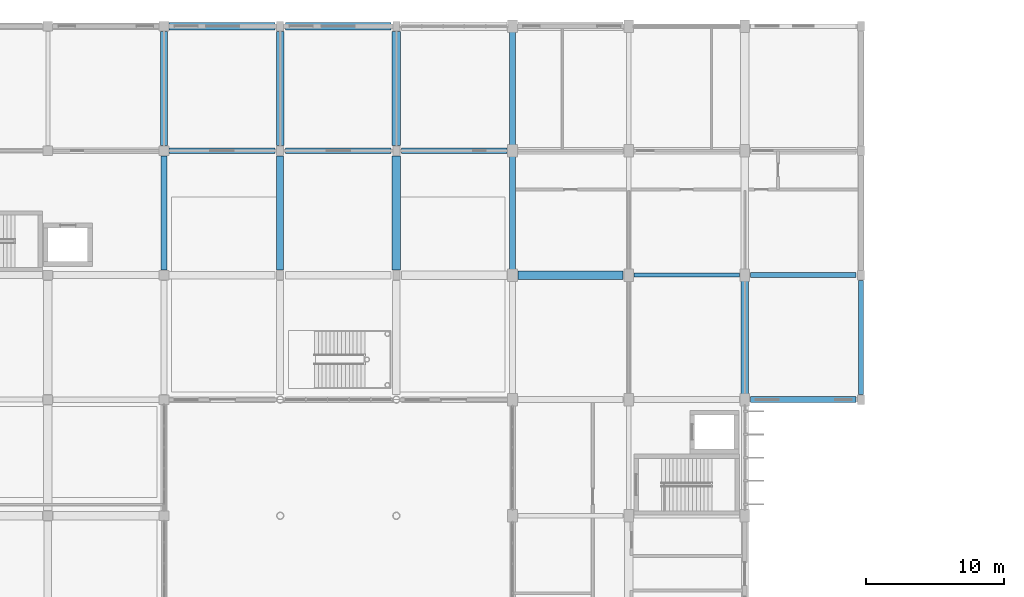
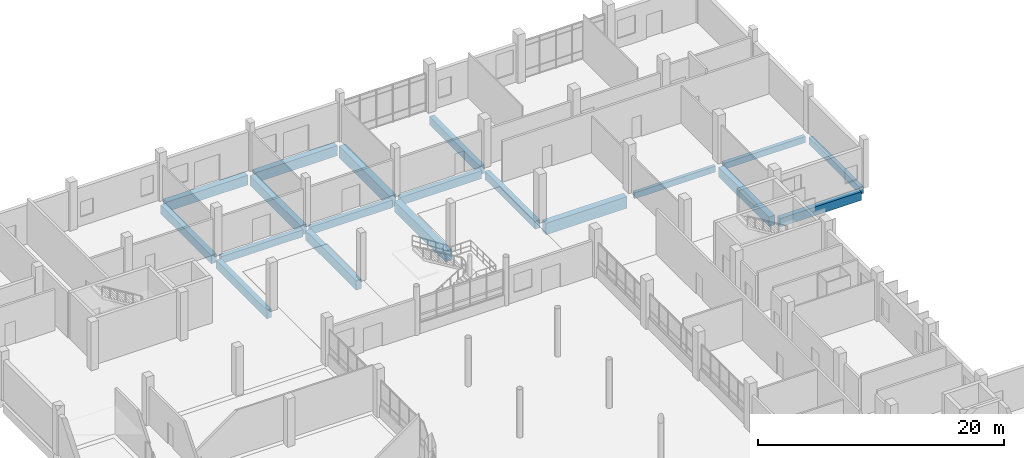
# One storey, part 55 of 95: 19 beams.
"""IFC4 building model written with IfcOpenShell, lengths in metres."""

import ifcopenshell
import ifcopenshell.guid

model = None  # the IFC model being written
_history = None  # IfcOwnerHistory: only IFC2X3 demands one
_inside = {}  # id of a spatial element -> (the spatial element, [elements in it])
_under = {}  # id of a project, library or spatial element -> (it, [spatial elements below it])
_declared = {}  # id of a project -> (the project, [libraries it declares])
_typed = {}  # id of a type object -> (the type object, [elements of that type])
_made_of = {}  # id of a material, layer set ... -> (it, [elements and type objects made of it])


def new_model(schema):
    """Start an empty IFC model of exactly this schema.

    Asked for "IFC4X3", IfcOpenShell would pick the latest addendum, in which some entities
    have other attributes; the version numbers below select the first issue.
    IFC2X3 requires an IfcOwnerHistory on every rooted entity: one is made here for all.
    """
    global model, _history
    if schema == "IFC4X3":
        model = ifcopenshell.file(schema_version=(4, 3, 0, 0))
    else:
        model = ifcopenshell.file(schema=schema)
    _inside.clear()
    _under.clear()
    _declared.clear()
    _typed.clear()
    _made_of.clear()
    _history = None
    if model.schema == "IFC2X3":
        org = make("IfcOrganization", Name="unknown")
        user = make(
            "IfcPersonAndOrganization",
            ThePerson=make("IfcPerson", FamilyName="unknown"),
            TheOrganization=org,
        )
        app = make(
            "IfcApplication",
            ApplicationDeveloper=org,
            Version="unknown",
            ApplicationFullName="unknown",
            ApplicationIdentifier="unknown",
        )
        _history = make(
            "IfcOwnerHistory",
            OwningUser=user,
            OwningApplication=app,
            ChangeAction="ADDED",
            CreationDate=0,
        )
    return model


def make(cls, **values):
    """One entity of the class cls with the attributes given. An attribute that is None is left unset."""
    return model.create_entity(
        cls, **{name: value for name, value in values.items() if value is not None}
    )


def rooted(cls, **values):
    """An entity with a GlobalId (a new one), such as an element, a storey or a relation."""
    return make(cls, GlobalId=ifcopenshell.guid.new(), OwnerHistory=_history, **values)


def si_unit(unit_type, name, prefix=None):
    """IfcSIUnit, for example si_unit("LENGTHUNIT", "METRE", prefix="MILLI")."""
    return make("IfcSIUnit", UnitType=unit_type, Prefix=prefix, Name=name)


def assignment(units):
    """IfcUnitAssignment: the units of a project."""
    return None if units is None else make("IfcUnitAssignment", Units=units)


def point(xyz):
    """IfcCartesianPoint."""
    return None if xyz is None else make("IfcCartesianPoint", Coordinates=xyz)


def direction(xyz):
    """IfcDirection."""
    return None if xyz is None else make("IfcDirection", DirectionRatios=xyz)


def frame(location, z_axis=None, x_axis=None):
    """IfcAxis2Placement3D, a coordinate frame: its origin and axes. An axis left out is left unset."""
    return make(
        "IfcAxis2Placement3D",
        Location=point(location),
        Axis=direction(z_axis),
        RefDirection=direction(x_axis),
    )


def frame_2d(location, x_axis=None):
    """IfcAxis2Placement2D, a coordinate frame in the plane: its origin and x axis."""
    return make(
        "IfcAxis2Placement2D", Location=point(location), RefDirection=direction(x_axis)
    )


def origin():
    """The frame at (0, 0, 0) with its axes left unset."""
    return frame((0.0, 0.0, 0.0))


def origin_2d():
    """The frame at (0, 0) in the plane with its x axis left unset."""
    return frame_2d((0.0, 0.0))


def place(relative_to, where):
    """IfcLocalPlacement: puts the frame where relative to a parent placement (None: the world)."""
    return make(
        "IfcLocalPlacement", PlacementRelTo=relative_to, RelativePlacement=where
    )


def context(
    kind, dimensions, precision=None, world=None, true_north=None, identifier=None
):
    """IfcGeometricRepresentationContext, for example the 3D "Model" context."""
    return make(
        "IfcGeometricRepresentationContext",
        ContextIdentifier=identifier,
        ContextType=kind,
        CoordinateSpaceDimension=dimensions,
        Precision=precision,
        WorldCoordinateSystem=world,
        TrueNorth=true_north,
    )


def subcontext(parent, identifier, kind, view, scale=None):
    """IfcGeometricRepresentationSubContext, for example "Body" below "Model"."""
    return make(
        "IfcGeometricRepresentationSubContext",
        ContextIdentifier=identifier,
        ContextType=kind,
        ParentContext=parent,
        TargetScale=scale,
        TargetView=view,
    )


def project(units=None, contexts=None):
    """IfcProject with its units and contexts."""
    return rooted(
        "IfcProject",
        Name="project",
        RepresentationContexts=contexts,
        UnitsInContext=assignment(units),
    )


def spatial(cls, under=None, at=None, **own):
    """A site, building, storey or space (cls), placed at a placement, below another one or the project."""
    s = rooted(cls, ObjectPlacement=at, **own)
    if under is not None:
        _under.setdefault(under.id(), (under, []))[1].append(s)
    return s


def profile(cls, at=None, kind="AREA", **sizes):
    """A parametric profile (cls). Its sizes go by their IFC names, for example OverallWidth=200.0."""
    return make(cls, ProfileType=kind, Position=at, **sizes)


def rectangle(**sizes):
    """IfcRectangleProfileDef."""
    return profile("IfcRectangleProfileDef", **sizes)


def extrude(swept, where, along, depth):
    """IfcExtrudedAreaSolid: the profile swept, set in the frame where, extruded along a direction by depth."""
    return make(
        "IfcExtrudedAreaSolid",
        SweptArea=swept,
        Position=where,
        ExtrudedDirection=direction(along),
        Depth=depth,
    )


def shape(context_of_items, identifier, shape_type, items):
    """IfcShapeRepresentation: the items that make up one representation, for example the "Body"."""
    return make(
        "IfcShapeRepresentation",
        ContextOfItems=context_of_items,
        RepresentationIdentifier=identifier,
        RepresentationType=shape_type,
        Items=items,
    )


def material(Name=None, Category=None):
    """IfcMaterial."""
    return make("IfcMaterial", Name=Name, Category=Category)


def material_profile(
    of_material, cross_section, Name=None, Category=None, Priority=None
):
    """IfcMaterialProfile: a cross section and its material."""
    return make(
        "IfcMaterialProfile",
        Name=Name,
        Material=of_material,
        Profile=cross_section,
        Priority=Priority,
        Category=Category,
    )


def profile_set(profiles, Name=None, composite=None):
    """IfcMaterialProfileSet."""
    return make(
        "IfcMaterialProfileSet",
        Name=Name,
        MaterialProfiles=profiles,
        CompositeProfile=composite,
    )


def made_of(thing, what):
    """Note that an element or type object is made of a material, layer set ...; save() writes the relation."""
    if what is not None:
        _made_of.setdefault(what.id(), (what, []))[1].append(thing)
    return thing


def type_object(cls, material=None, **own):
    """A type object (cls), such as IfcWallType, which elements share."""
    return made_of(rooted(cls, **own), material)


def element(
    cls,
    number,
    at=None,
    inside=None,
    cuts=None,
    type_object=None,
    material=None,
    context=None,
    identifier="Body",
    shape_type=None,
    held_by="IfcProductDefinitionShape",
    body=None,
    shapes=None,
    **own,
):
    """One element of the class cls, such as IfcWall. Its Tag is "e" and its number.

    at: its placement. inside: the storey or other place that contains it. cuts: it is an
    opening in that element (IfcRelVoidsElement). A single representation is given by context,
    identifier, shape_type and body (its items); several are given by shapes. held_by: the class
    of the entity that holds the representations. save() writes the other relations.
    """
    e = rooted(cls, Tag="e%d" % number, ObjectPlacement=at, **own)
    if body is not None:
        shapes = [shape(context, identifier, shape_type, body)]
    if shapes is not None:
        e.Representation = make(held_by, Representations=shapes)
    if inside is not None:
        _inside.setdefault(inside.id(), (inside, []))[1].append(e)
    if cuts is not None:
        rooted(
            "IfcRelVoidsElement", RelatingBuildingElement=cuts, RelatedOpeningElement=e
        )
    if type_object is not None:
        _typed.setdefault(type_object.id(), (type_object, []))[1].append(e)
    return made_of(e, material)


def aggregate(whole, parts):
    """IfcRelAggregates: a whole, such as a stair, and the parts it consists of."""
    return rooted("IfcRelAggregates", RelatingObject=whole, RelatedObjects=parts)


def save(model, path):
    """Write the relations noted so far, then the file.

    IfcRelAggregates (storeys below a building ...), IfcRelContainedInSpatialStructure (elements
    in a storey), IfcRelDefinesByType, IfcRelAssociatesMaterial and IfcRelDeclares: one each for
    every whole, place, type object, material and project.
    """
    for whole, parts in _under.values():
        aggregate(whole, parts)
    for where, things in _inside.values():
        rooted(
            "IfcRelContainedInSpatialStructure",
            RelatedElements=things,
            RelatingStructure=where,
        )
    for kind, things in _typed.values():
        rooted("IfcRelDefinesByType", RelatedObjects=things, RelatingType=kind)
    for what, things in _made_of.values():
        rooted("IfcRelAssociatesMaterial", RelatedObjects=things, RelatingMaterial=what)
    for by, libraries in _declared.values():
        rooted("IfcRelDeclares", RelatingContext=by, RelatedDefinitions=libraries)
    model.write(path)


model = new_model("IFC4")

# Units and contexts
model_context = context("Model", 3, precision=1e-05, world=origin(), true_north=direction((0.0, 1.0)))
body_context = subcontext(model_context, "Body", "Model", "MODEL_VIEW")
ifc_project = project(units=[si_unit("LENGTHUNIT", "METRE"), si_unit("AREAUNIT", "SQUARE_METRE"), si_unit("VOLUMEUNIT", "CUBIC_METRE"), si_unit("PLANEANGLEUNIT", "RADIAN"), si_unit("MASSUNIT", "GRAM", prefix="KILO")], contexts=[model_context])

# Site, building, storey
site_placement = place(None, origin())
site = spatial("IfcSite", under=ifc_project, at=site_placement, CompositionType="ELEMENT")
building_placement = place(site_placement, origin())
building = spatial("IfcBuilding", under=site, at=building_placement, Name="Vireocrest Preparatory School", CompositionType="ELEMENT")
storey_placement = place(building_placement, origin())
storey = spatial("IfcBuildingStorey", under=building, at=storey_placement, Name="L00", CompositionType="ELEMENT", Elevation=0.0)

# Beams
ifc_material = material(Name="Concrete 40 MPa", Category="concrete")
ifc_material_profile_1 = material_profile(ifc_material, rectangle(XDim=0.5, YDim=0.949951171875, at=origin_2d()), Name="RC 500x950")
ifc_profile_set_1 = profile_set([ifc_material_profile_1], Name="Concrete 40 MPa")
beam_type_1 = type_object("IfcBeamType", Name="RC Basement Ceiling Girder 500x950", PredefinedType="BEAM", material=ifc_profile_set_1)
beam_1_placement = place(storey_placement, frame((75.60009765625, 95.175048828125, -0.824951171875), z_axis=(0.0, 1.0, 0.0), x_axis=(-1.0, 0.0, 0.0)))
element("IfcBeam", 1, at=beam_1_placement, inside=storey, type_object=beam_type_1, Name="Primary Girder B16 L00-0189", PredefinedType="BEAM", context=body_context, shape_type="SweptSolid", body=[
    extrude(rectangle(XDim=0.5, YDim=0.949951171875, at=origin_2d()), origin(), (0.0, 0.0, 1.0), 8.25),
])
ifc_material_profile_2 = material_profile(ifc_material, rectangle(XDim=0.300048828125, YDim=0.60009765625, at=origin_2d()), Name="RC 300x600")
ifc_profile_set_2 = profile_set([ifc_material_profile_2], Name="Concrete 40 MPa")
beam_type_2 = type_object("IfcBeamType", Name="RC Classroom Beam 300x600", PredefinedType="BEAM", material=ifc_profile_set_2)
beam_2_placement = place(storey_placement, frame((101.199951171875, 94.800048828125, -0.64990234375), z_axis=(1.0, 0.0, 0.0), x_axis=(0.0, 1.0, 0.0)))
element("IfcBeam", 2, at=beam_2_placement, inside=storey, type_object=beam_type_2, Name="Primary Girder B03 L00-0109", PredefinedType="BEAM", context=body_context, shape_type="SweptSolid", body=[
    extrude(rectangle(XDim=0.300048828125, YDim=0.60009765625, at=origin_2d()), origin(), (0.0, 0.0, 1.0), 7.60009765625),
])
ifc_material_profile_3 = material_profile(ifc_material, rectangle(XDim=0.35009765625, YDim=0.60009765625, at=origin_2d()), Name="RC 350x600")
ifc_profile_set_3 = profile_set([ifc_material_profile_3], Name="Concrete 40 MPa")
beam_type_3 = type_object("IfcBeamType", Name="RC Classroom Girder 350x600", PredefinedType="BEAM", material=ifc_profile_set_3)
beam_3_placement = place(storey_placement, frame((109.60009765625, 94.800048828125, -0.64990234375), z_axis=(1.0, 0.0, 0.0), x_axis=(0.0, 1.0, 0.0)))
element("IfcBeam", 3, at=beam_3_placement, inside=storey, type_object=beam_type_3, Name="Primary Girder B04 L00-0110", PredefinedType="BEAM", context=body_context, shape_type="SweptSolid", body=[
    extrude(rectangle(XDim=0.35009765625, YDim=0.60009765625, at=origin_2d()), origin(), (0.0, 0.0, 1.0), 7.625),
])
ifc_material_profile_4 = material_profile(ifc_material, rectangle(XDim=0.39990234375, YDim=0.75, at=origin_2d()), Name="RC 400x750")
ifc_profile_set_4 = profile_set([ifc_material_profile_4], Name="Concrete 40 MPa")
beam_type_4 = type_object("IfcBeamType", Name="RC Commons Girder 400x750", PredefinedType="BEAM", material=ifc_profile_set_4)
beam_4_placement = place(storey_placement, frame((75.97509765625, 103.800048828125, -0.72509765625), z_axis=(1.0, 0.0, 0.0), x_axis=(0.0, 1.0, 0.0)))
element("IfcBeam", 4, at=beam_4_placement, inside=storey, type_object=beam_type_4, Name="Primary Girder B09 L00-0115", PredefinedType="BEAM", context=body_context, shape_type="SweptSolid", body=[
    extrude(rectangle(XDim=0.39990234375, YDim=0.75, at=origin_2d()), origin(), (0.0, 0.0, 1.0), 7.64990234375),
])
ifc_material_profile_5 = material_profile(ifc_material, rectangle(XDim=0.550048828125, YDim=1.0, at=origin_2d()), Name="RC 550x1000")
ifc_profile_set_5 = profile_set([ifc_material_profile_5], Name="Concrete 40 MPa")
beam_type_5 = type_object("IfcBeamType", Name="RC Core Coupling Beam 550x1000", PredefinedType="BEAM", material=ifc_profile_set_5)
beam_5_placement = place(storey_placement, frame((75.97509765625, 112.800048828125, -0.85009765625), z_axis=(1.0, 0.0, 0.0), x_axis=(0.0, 1.0, 0.0)))
element("IfcBeam", 5, at=beam_5_placement, inside=storey, type_object=beam_type_5, Name="Primary Girder B18 L00-0124", PredefinedType="BEAM", context=body_context, shape_type="SweptSolid", body=[
    extrude(rectangle(XDim=0.550048828125, YDim=1.0, at=origin_2d()), origin(), (0.0, 0.0, 1.0), 7.64990234375),
])
ifc_material_profile_6 = material_profile(ifc_material, rectangle(XDim=0.39990234375, YDim=0.699951171875, at=origin_2d()), Name="RC 400x700")
ifc_profile_set_6 = profile_set([ifc_material_profile_6], Name="Concrete 40 MPa")
beam_type_6 = type_object("IfcBeamType", Name="RC Corridor Girder 400x700", PredefinedType="BEAM", material=ifc_profile_set_6)
beam_6_placement = place(storey_placement, frame((67.574951171875, 103.800048828125, -0.699951171875), z_axis=(1.0, 0.0, 0.0), x_axis=(0.0, 1.0, 0.0)))
element("IfcBeam", 6, at=beam_6_placement, inside=storey, type_object=beam_type_6, Name="Primary Girder B08 L00-0114", PredefinedType="BEAM", context=body_context, shape_type="SweptSolid", body=[
    extrude(rectangle(XDim=0.39990234375, YDim=0.699951171875, at=origin_2d()), origin(), (0.0, 0.0, 1.0), 7.650146484375),
])
ifc_material_profile_7 = material_profile(ifc_material, rectangle(XDim=0.449951171875, YDim=0.85009765625, at=origin_2d()), Name="RC 450x850")
ifc_profile_set_7 = profile_set([ifc_material_profile_7], Name="Concrete 40 MPa")
beam_type_7 = type_object("IfcBeamType", Name="RC Heavy Floor Girder 450x850", PredefinedType="BEAM", material=ifc_profile_set_7)
beam_7_placement = place(storey_placement, frame((109.60009765625, 85.800048828125, -0.77490234375), z_axis=(1.0, 0.0, 0.0), x_axis=(0.0, 1.0, 0.0)))
element("IfcBeam", 7, at=beam_7_placement, inside=storey, type_object=beam_type_7, Name="Primary Girder B13 L00-0101", PredefinedType="BEAM", context=body_context, shape_type="SweptSolid", body=[
    extrude(rectangle(XDim=0.449951171875, YDim=0.85009765625, at=origin_2d()), origin(), (0.0, 0.0, 1.0), 7.625),
])
beam_8_placement = place(storey_placement, frame((67.199951171875, 95.175048828125, -0.77490234375), z_axis=(0.0, 1.0, 0.0), x_axis=(-1.0, 0.0, 0.0)))
element("IfcBeam", 8, at=beam_8_placement, inside=storey, type_object=beam_type_7, Name="Primary Girder B13 L00-0186", PredefinedType="BEAM", context=body_context, shape_type="SweptSolid", body=[
    extrude(rectangle(XDim=0.449951171875, YDim=0.85009765625, at=origin_2d()), origin(), (0.0, 0.0, 1.0), 8.25),
])
beam_9_placement = place(storey_placement, frame((92.39990234375, 104.199951171875, -0.77490234375), z_axis=(0.0, 1.0, 0.0), x_axis=(-1.0, 0.0, 0.0)))
element("IfcBeam", 9, at=beam_9_placement, inside=storey, type_object=beam_type_7, Name="Primary Girder B13 L00-0204", PredefinedType="BEAM", context=body_context, shape_type="SweptSolid", body=[
    extrude(rectangle(XDim=0.449951171875, YDim=0.85009765625, at=origin_2d()), origin(), (0.0, 0.0, 1.0), 8.199951171875),
])
ifc_material_profile_8 = material_profile(ifc_material, rectangle(XDim=0.60009765625, YDim=1.14990234375, at=origin_2d()), Name="RC 600x1150")
ifc_profile_set_8 = profile_set([ifc_material_profile_8], Name="Concrete 40 MPa")
beam_type_8 = type_object("IfcBeamType", Name="RC Heavy Transfer Girder 600x1150", PredefinedType="BEAM", material=ifc_profile_set_8)
beam_10_placement = place(storey_placement, frame((92.800048828125, 94.800048828125, -0.925048828125), z_axis=(1.0, 0.0, 0.0), x_axis=(0.0, 1.0, 0.0)))
element("IfcBeam", 10, at=beam_10_placement, inside=storey, type_object=beam_type_8, Name="Primary Girder B20 L00-0108", PredefinedType="BEAM", context=body_context, shape_type="SweptSolid", body=[
    extrude(rectangle(XDim=0.60009765625, YDim=1.14990234375, at=origin_2d()), origin(), (0.0, 0.0, 1.0), 7.599853515625),
])
beam_11_placement = place(storey_placement, frame((84.0, 104.175048828125, -0.925048828125), z_axis=(0.0, 1.0, 0.0), x_axis=(-1.0, 0.0, 0.0)))
element("IfcBeam", 11, at=beam_11_placement, inside=storey, type_object=beam_type_8, Name="Primary Girder B20 L00-0193", PredefinedType="BEAM", context=body_context, shape_type="SweptSolid", body=[
    extrude(rectangle(XDim=0.60009765625, YDim=1.14990234375, at=origin_2d()), origin(), (0.0, 0.0, 1.0), 8.25),
])
ifc_material_profile_9 = material_profile(ifc_material, rectangle(XDim=0.35009765625, YDim=0.699951171875, at=origin_2d()), Name="RC 350x700")
ifc_profile_set_9 = profile_set([ifc_material_profile_9], Name="Concrete 40 MPa")
beam_type_9 = type_object("IfcBeamType", Name="RC Laboratory Girder 350x700", PredefinedType="BEAM", material=ifc_profile_set_9)
beam_12_placement = place(storey_placement, frame((117.60009765625, 86.175048828125, -0.699951171875), z_axis=(0.0, 1.0, 0.0), x_axis=(-1.0, 0.0, 0.0)))
element("IfcBeam", 12, at=beam_12_placement, inside=storey, type_object=beam_type_9, Name="Primary Girder B06 L00-0233", PredefinedType="BEAM", context=body_context, shape_type="SweptSolid", body=[
    extrude(rectangle(XDim=0.35009765625, YDim=0.699951171875, at=origin_2d()), origin(), (0.0, 0.0, 1.0), 8.25),
])
ifc_material_profile_10 = material_profile(ifc_material, rectangle(XDim=0.39990234375, YDim=0.800048828125, at=origin_2d()), Name="RC 400x800")
ifc_profile_set_10 = profile_set([ifc_material_profile_10], Name="Concrete 40 MPa")
beam_type_10 = type_object("IfcBeamType", Name="RC Library Reading Girder 400x800", PredefinedType="BEAM", material=ifc_profile_set_10)
beam_13_placement = place(storey_placement, frame((84.375, 103.800048828125, -0.75), z_axis=(1.0, 0.0, 0.0), x_axis=(0.0, 1.0, 0.0)))
element("IfcBeam", 13, at=beam_13_placement, inside=storey, type_object=beam_type_10, Name="Primary Girder B10 L00-0116", PredefinedType="BEAM", context=body_context, shape_type="SweptSolid", body=[
    extrude(rectangle(XDim=0.39990234375, YDim=0.800048828125, at=origin_2d()), origin(), (0.0, 0.0, 1.0), 7.625),
])
ifc_material_profile_11 = material_profile(ifc_material, rectangle(XDim=0.449951171875, YDim=0.800048828125, at=origin_2d()), Name="RC 450x800")
ifc_profile_set_11 = profile_set([ifc_material_profile_11], Name="Concrete 40 MPa")
beam_type_11 = type_object("IfcBeamType", Name="RC Library Stack Girder 450x800", PredefinedType="BEAM", material=ifc_profile_set_11)
beam_14_placement = place(storey_placement, frame((92.39990234375, 95.199951171875, -0.75), z_axis=(0.0, 1.0, 0.0), x_axis=(-1.0, 0.0, 0.0)))
element("IfcBeam", 14, at=beam_14_placement, inside=storey, type_object=beam_type_11, Name="Primary Girder B12 L00-0203", PredefinedType="BEAM", context=body_context, shape_type="SweptSolid", body=[
    extrude(rectangle(XDim=0.449951171875, YDim=0.800048828125, at=origin_2d()), origin(), (0.0, 0.0, 1.0), 8.199951171875),
])
ifc_material_profile_12 = material_profile(ifc_material, rectangle(XDim=0.5, YDim=0.85009765625, at=origin_2d()), Name="RC 500x850")
ifc_profile_set_12 = profile_set([ifc_material_profile_12], Name="Concrete 40 MPa")
beam_type_12 = type_object("IfcBeamType", Name="RC Podium Girder 500x850", PredefinedType="BEAM", material=ifc_profile_set_12)
beam_15_placement = place(storey_placement, frame((67.199951171875, 104.175048828125, -0.77490234375), z_axis=(0.0, 1.0, 0.0), x_axis=(-1.0, 0.0, 0.0)))
element("IfcBeam", 15, at=beam_15_placement, inside=storey, type_object=beam_type_12, Name="Primary Girder B14 L00-0187", PredefinedType="BEAM", context=body_context, shape_type="SweptSolid", body=[
    extrude(rectangle(XDim=0.5, YDim=0.85009765625, at=origin_2d()), origin(), (0.0, 0.0, 1.0), 8.25),
])
ifc_material_profile_13 = material_profile(ifc_material, rectangle(XDim=0.550048828125, YDim=0.949951171875, at=origin_2d()), Name="RC 550x950")
ifc_profile_set_13 = profile_set([ifc_material_profile_13], Name="Concrete 40 MPa")
beam_type_13 = type_object("IfcBeamType", Name="RC Setback Edge Girder 550x950", PredefinedType="BEAM", material=ifc_profile_set_13)
beam_16_placement = place(storey_placement, frame((67.574951171875, 112.800048828125, -0.824951171875), z_axis=(1.0, 0.0, 0.0), x_axis=(0.0, 1.0, 0.0)))
element("IfcBeam", 16, at=beam_16_placement, inside=storey, type_object=beam_type_13, Name="Primary Girder B17 L00-0123", PredefinedType="BEAM", context=body_context, shape_type="SweptSolid", body=[
    extrude(rectangle(XDim=0.550048828125, YDim=0.949951171875, at=origin_2d()), origin(), (0.0, 0.0, 1.0), 7.650146484375),
])
beam_17_placement = place(storey_placement, frame((75.60009765625, 104.175048828125, -0.824951171875), z_axis=(0.0, 1.0, 0.0), x_axis=(-1.0, 0.0, 0.0)))
element("IfcBeam", 17, at=beam_17_placement, inside=storey, type_object=beam_type_13, Name="Primary Girder B17 L00-0190", PredefinedType="BEAM", context=body_context, shape_type="SweptSolid", body=[
    extrude(rectangle(XDim=0.550048828125, YDim=0.949951171875, at=origin_2d()), origin(), (0.0, 0.0, 1.0), 8.25),
])
beam_18_placement = place(storey_placement, frame((109.199951171875, 86.199951171875, -0.824951171875), z_axis=(0.0, 1.0, 0.0), x_axis=(-1.0, 0.0, 0.0)))
element("IfcBeam", 18, at=beam_18_placement, inside=storey, type_object=beam_type_13, Name="Primary Girder B17 L00-0226", PredefinedType="BEAM", context=body_context, shape_type="SweptSolid", body=[
    extrude(rectangle(XDim=0.550048828125, YDim=0.949951171875, at=origin_2d()), origin(), (0.0, 0.0, 1.0), 8.199951171875),
])
ifc_material_profile_14 = material_profile(ifc_material, rectangle(XDim=0.60009765625, YDim=1.050048828125, at=origin_2d()), Name="RC 600x1050")
ifc_profile_set_14 = profile_set([ifc_material_profile_14], Name="Concrete 40 MPa")
beam_type_14 = type_object("IfcBeamType", Name="RC Transfer Girder 600x1050", PredefinedType="BEAM", material=ifc_profile_set_14)
beam_19_placement = place(storey_placement, frame((84.0, 95.175048828125, -0.875), z_axis=(0.0, 1.0, 0.0), x_axis=(-1.0, 0.0, 0.0)))
element("IfcBeam", 19, at=beam_19_placement, inside=storey, type_object=beam_type_14, Name="Primary Girder B19 L00-0192", PredefinedType="BEAM", context=body_context, shape_type="SweptSolid", body=[
    extrude(rectangle(XDim=0.60009765625, YDim=1.050048828125, at=origin_2d()), origin(), (0.0, 0.0, 1.0), 8.25),
])

save(model, "model.ifc")
